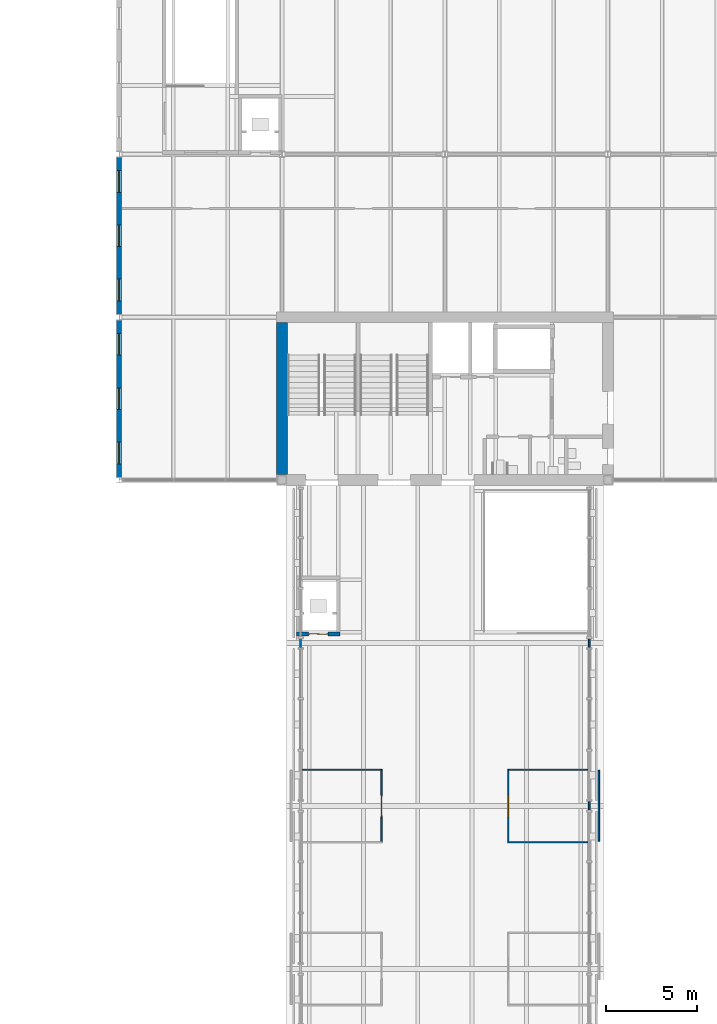
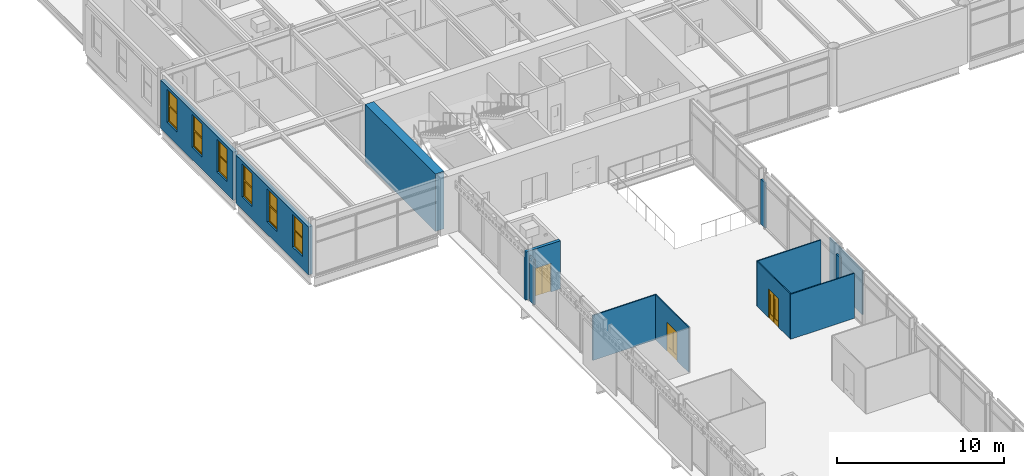
# One storey, part 66 of 123: 13 walls, 6 windows, 3 doors, 9 openings.
"""IFC4 building model written with IfcOpenShell, lengths in metres."""

from ifc_helpers import new_model, si_unit, direction, frame, frame_2d, origin, place, context, subcontext, project, spatial, polyline, rectangle, outline, extrude, material, layer, layer_set, type_object, element, fill, save


model = new_model("IFC4")

# Units and contexts
model_context = context("Model", 3, precision=1e-05, world=origin(), true_north=direction((0.0, 1.0)))
body_context = subcontext(model_context, "Body", "Model", "MODEL_VIEW")
ifc_project = project(units=[si_unit("LENGTHUNIT", "METRE"), si_unit("AREAUNIT", "SQUARE_METRE"), si_unit("VOLUMEUNIT", "CUBIC_METRE"), si_unit("PLANEANGLEUNIT", "RADIAN"), si_unit("MASSUNIT", "GRAM", prefix="KILO")], contexts=[model_context])

# Site, building, storey
site_placement = place(None, origin())
site = spatial("IfcSite", under=ifc_project, at=site_placement, CompositionType="ELEMENT")
building_placement = place(site_placement, origin())
building = spatial("IfcBuilding", under=site, at=building_placement, Name="Baradari Gate Terminus", CompositionType="ELEMENT")
storey_placement = place(building_placement, frame((0.0, 0.0, 7.5)))
storey = spatial("IfcBuildingStorey", under=building, at=storey_placement, Name="L01", CompositionType="ELEMENT", Elevation=7.5)

# Wall
ifc_material_1 = material(Name="Concrete C40/50", Category="concrete")
ifc_layer_1 = layer(ifc_material_1, 0.60009765625)
ifc_layer_set_1 = layer_set([ifc_layer_1], Name="Concrete C40/50")
wall_type_1 = type_object("IfcWallType", Name="Abutment core wall CWL04 600", PredefinedType="SOLIDWALL", material=ifc_layer_set_1)
wall_1_placement = place(storey_placement, frame((72.0, 81.300048828125, 0.0), z_axis=(0.0, 0.0, 1.0), x_axis=(0.0, 1.0, 0.0)))
element("IfcWall", 1, at=wall_1_placement, inside=storey, type_object=wall_type_1, Name="Abutment core wall GN W L01", PredefinedType="SOLIDWALL", context=body_context, shape_type="SweptSolid", body=[
    extrude(rectangle(XDim=8.39990234375, YDim=0.60009765625, at=frame_2d((4.199951171875, 0.0))), origin(), (0.0, 0.0, 1.0), 4.199951171875),
])

# Wall, openings, windows
ifc_material_2 = material(Name="Concrete C40/50 precast", Category="concrete")
ifc_layer_2 = layer(ifc_material_2, 0.23)
ifc_material_3 = material(Name="Reconstituted stone", Category="masonry")
ifc_layer_3 = layer(ifc_material_3, 0.05)
ifc_layer_set_2 = layer_set([ifc_layer_2, ifc_layer_3], Name="Concrete C40/50 precast")
wall_type_2 = type_object("IfcWallType", Name="End wall WE-1 280", PredefinedType="SOLIDWALL", material=ifc_layer_set_2)
wall_2_placement = place(storey_placement, frame((63.0, 81.1572265625, 0.0), z_axis=(0.0, 0.0, 1.0), x_axis=(0.0, 1.0, 0.0)))
wall_2 = element("IfcWall", 2, at=wall_2_placement, inside=storey, type_object=wall_type_2, Name="court end wall HW bay 10 L01", PredefinedType="SOLIDWALL", context=body_context, shape_type="SweptSolid", body=[
    extrude(rectangle(XDim=8.685546875, YDim=0.280029296875, at=frame_2d((4.3427734375, 0.0))), origin(), (0.0, 0.0, 1.0), 3.516845703125),
])
opening_1_placement = place(wall_2_placement, frame((0.74267578125, 0.0, 0.89990234375)))
opening_1 = element("IfcOpeningElement", 3, at=opening_1_placement, cuts=wall_2, Name="Opening W12", PredefinedType="OPENING", context=body_context, shape_type="SweptSolid", body=[
    extrude(rectangle(XDim=1.199951171875, YDim=2.39990234375, at=frame_2d((0.60009765625, 1.199951171875))), frame((0.0, 0.14990234375, 0.0), z_axis=(0.0, -1.0, 0.0), x_axis=(1.0, 0.0, 0.0)), (0.0, 0.0, 1.0), 0.300048828125),
])
opening_2_placement = place(wall_2_placement, frame((3.74267578125, 0.0, 0.89990234375)))
opening_2 = element("IfcOpeningElement", 4, at=opening_2_placement, cuts=wall_2, Name="Opening W12", PredefinedType="OPENING", context=body_context, shape_type="SweptSolid", body=[
    extrude(rectangle(XDim=1.199951171875, YDim=2.39990234375, at=frame_2d((0.60009765625, 1.199951171875))), frame((0.0, 0.14990234375, 0.0), z_axis=(0.0, -1.0, 0.0), x_axis=(1.0, 0.0, 0.0)), (0.0, 0.0, 1.0), 0.300048828125),
])
opening_3_placement = place(wall_2_placement, frame((6.74267578125, 0.0, 0.89990234375)))
opening_3 = element("IfcOpeningElement", 5, at=opening_3_placement, cuts=wall_2, Name="Opening W12", PredefinedType="OPENING", context=body_context, shape_type="SweptSolid", body=[
    extrude(rectangle(XDim=1.199951171875, YDim=2.39990234375, at=frame_2d((0.60009765625, 1.199951171875))), frame((0.0, 0.14990234375, 0.0), z_axis=(0.0, -1.0, 0.0), x_axis=(1.0, 0.0, 0.0)), (0.0, 0.0, 1.0), 0.300048828125),
])
ifc_material_4 = material(Name="Aluminium 6063-T6", Category="aluminium")
window_type = type_object("IfcWindowType", Name="End-wall window W12 1200x2400", PartitioningType="DOUBLE_PANEL_HORIZONTAL", PredefinedType="WINDOW", material=ifc_material_4)
window_1_placement = place(opening_1_placement, origin())
window_1 = element("IfcWindow", 6, at=window_1_placement, inside=storey, type_object=window_type, Name="Window W12 HW/09", OverallHeight=2.4, OverallWidth=1.2, PartitioningType="DOUBLE_PANEL_HORIZONTAL", PredefinedType="WINDOW", context=body_context, shape_type="SweptSolid", body=[
    extrude(outline(polyline([(0.0, 0.0), (1.199951171875, 0.0), (1.199951171875, 2.39990234375), (0.0, 2.39990234375), (0.0, 0.0)]), holes=[polyline([(0.070068359375, 0.070068359375), (1.1298828125, 0.070068359375), (1.1298828125, 2.329833984375), (0.070068359375, 2.329833984375), (0.070068359375, 0.070068359375)])]), frame((0.0, 0.030029296875, 0.0), z_axis=(0.0, -1.0, 0.0), x_axis=(1.0, 0.0, 0.0)), (0.0, 0.0, 1.0), 0.06005859375),
    extrude(rectangle(XDim=1.059814453125, YDim=0.0400390625, at=frame_2d((0.60009765625, 1.199951171875))), frame((0.0, 0.021484375, 0.0), z_axis=(0.0, -1.0, 0.0), x_axis=(1.0, 0.0, 0.0)), (0.0, 0.0, 1.0), 0.04296875),
    extrude(outline(polyline([(0.070068359375, 0.070068359375), (1.1298828125, 0.070068359375), (1.1298828125, 1.179931640625), (0.070068359375, 1.179931640625), (0.070068359375, 0.070068359375)]), holes=[polyline([(0.10009765625, 0.10009765625), (1.099853515625, 0.10009765625), (1.099853515625, 1.14990234375), (0.10009765625, 1.14990234375), (0.10009765625, 0.10009765625)])]), frame((0.0, 0.0224609375, 0.0), z_axis=(0.0, -1.0, 0.0), x_axis=(1.0, 0.0, 0.0)), (0.0, 0.0, 1.0), 0.044921875),
    extrude(rectangle(XDim=0.999755859375, YDim=1.0498046875, at=frame_2d((0.60009765625, 0.625))), frame((0.0, 0.006103515625, 0.0), z_axis=(0.0, -1.0, 0.0), x_axis=(1.0, 0.0, 0.0)), (0.0, 0.0, 1.0), 0.01220703125),
    extrude(outline(polyline([(0.070068359375, 1.219970703125), (1.1298828125, 1.219970703125), (1.1298828125, 2.329833984375), (0.070068359375, 2.329833984375), (0.070068359375, 1.219970703125)]), holes=[polyline([(0.10009765625, 1.25), (1.099853515625, 1.25), (1.099853515625, 2.2998046875), (0.10009765625, 2.2998046875), (0.10009765625, 1.25)])]), frame((0.0, 0.0224609375, 0.0), z_axis=(0.0, -1.0, 0.0), x_axis=(1.0, 0.0, 0.0)), (0.0, 0.0, 1.0), 0.044921875),
    extrude(rectangle(XDim=0.999755859375, YDim=1.0498046875, at=frame_2d((0.60009765625, 1.77490234375))), frame((0.0, 0.006103515625, 0.0), z_axis=(0.0, -1.0, 0.0), x_axis=(1.0, 0.0, 0.0)), (0.0, 0.0, 1.0), 0.01220703125),
])
fill(opening_1, window_1)
window_2_placement = place(opening_2_placement, origin())
window_2 = element("IfcWindow", 7, at=window_2_placement, inside=storey, type_object=window_type, Name="Window W12 HW/09", OverallHeight=2.4, OverallWidth=1.2, PartitioningType="DOUBLE_PANEL_HORIZONTAL", PredefinedType="WINDOW", context=body_context, shape_type="SweptSolid", body=[
    extrude(outline(polyline([(0.0, 0.0), (1.199951171875, 0.0), (1.199951171875, 2.39990234375), (0.0, 2.39990234375), (0.0, 0.0)]), holes=[polyline([(0.070068359375, 0.070068359375), (1.1298828125, 0.070068359375), (1.1298828125, 2.329833984375), (0.070068359375, 2.329833984375), (0.070068359375, 0.070068359375)])]), frame((0.0, 0.030029296875, 0.0), z_axis=(0.0, -1.0, 0.0), x_axis=(1.0, 0.0, 0.0)), (0.0, 0.0, 1.0), 0.06005859375),
    extrude(rectangle(XDim=1.059814453125, YDim=0.0400390625, at=frame_2d((0.60009765625, 1.199951171875))), frame((0.0, 0.021484375, 0.0), z_axis=(0.0, -1.0, 0.0), x_axis=(1.0, 0.0, 0.0)), (0.0, 0.0, 1.0), 0.04296875),
    extrude(outline(polyline([(0.070068359375, 0.070068359375), (1.1298828125, 0.070068359375), (1.1298828125, 1.179931640625), (0.070068359375, 1.179931640625), (0.070068359375, 0.070068359375)]), holes=[polyline([(0.10009765625, 0.10009765625), (1.099853515625, 0.10009765625), (1.099853515625, 1.14990234375), (0.10009765625, 1.14990234375), (0.10009765625, 0.10009765625)])]), frame((0.0, 0.0224609375, 0.0), z_axis=(0.0, -1.0, 0.0), x_axis=(1.0, 0.0, 0.0)), (0.0, 0.0, 1.0), 0.044921875),
    extrude(rectangle(XDim=0.999755859375, YDim=1.0498046875, at=frame_2d((0.60009765625, 0.625))), frame((0.0, 0.006103515625, 0.0), z_axis=(0.0, -1.0, 0.0), x_axis=(1.0, 0.0, 0.0)), (0.0, 0.0, 1.0), 0.01220703125),
    extrude(outline(polyline([(0.070068359375, 1.219970703125), (1.1298828125, 1.219970703125), (1.1298828125, 2.329833984375), (0.070068359375, 2.329833984375), (0.070068359375, 1.219970703125)]), holes=[polyline([(0.10009765625, 1.25), (1.099853515625, 1.25), (1.099853515625, 2.2998046875), (0.10009765625, 2.2998046875), (0.10009765625, 1.25)])]), frame((0.0, 0.0224609375, 0.0), z_axis=(0.0, -1.0, 0.0), x_axis=(1.0, 0.0, 0.0)), (0.0, 0.0, 1.0), 0.044921875),
    extrude(rectangle(XDim=0.999755859375, YDim=1.0498046875, at=frame_2d((0.60009765625, 1.77490234375))), frame((0.0, 0.006103515625, 0.0), z_axis=(0.0, -1.0, 0.0), x_axis=(1.0, 0.0, 0.0)), (0.0, 0.0, 1.0), 0.01220703125),
])
fill(opening_2, window_2)
window_3_placement = place(opening_3_placement, origin())
window_3 = element("IfcWindow", 8, at=window_3_placement, inside=storey, type_object=window_type, Name="Window W12 HW/09", OverallHeight=2.4, OverallWidth=1.2, PartitioningType="DOUBLE_PANEL_HORIZONTAL", PredefinedType="WINDOW", context=body_context, shape_type="SweptSolid", body=[
    extrude(outline(polyline([(0.0, 0.0), (1.199951171875, 0.0), (1.199951171875, 2.39990234375), (0.0, 2.39990234375), (0.0, 0.0)]), holes=[polyline([(0.070068359375, 0.070068359375), (1.1298828125, 0.070068359375), (1.1298828125, 2.329833984375), (0.070068359375, 2.329833984375), (0.070068359375, 0.070068359375)])]), frame((0.0, 0.030029296875, 0.0), z_axis=(0.0, -1.0, 0.0), x_axis=(1.0, 0.0, 0.0)), (0.0, 0.0, 1.0), 0.06005859375),
    extrude(rectangle(XDim=1.059814453125, YDim=0.0400390625, at=frame_2d((0.60009765625, 1.199951171875))), frame((0.0, 0.021484375, 0.0), z_axis=(0.0, -1.0, 0.0), x_axis=(1.0, 0.0, 0.0)), (0.0, 0.0, 1.0), 0.04296875),
    extrude(outline(polyline([(0.070068359375, 0.070068359375), (1.1298828125, 0.070068359375), (1.1298828125, 1.179931640625), (0.070068359375, 1.179931640625), (0.070068359375, 0.070068359375)]), holes=[polyline([(0.10009765625, 0.10009765625), (1.099853515625, 0.10009765625), (1.099853515625, 1.14990234375), (0.10009765625, 1.14990234375), (0.10009765625, 0.10009765625)])]), frame((0.0, 0.0224609375, 0.0), z_axis=(0.0, -1.0, 0.0), x_axis=(1.0, 0.0, 0.0)), (0.0, 0.0, 1.0), 0.044921875),
    extrude(rectangle(XDim=0.999755859375, YDim=1.0498046875, at=frame_2d((0.60009765625, 0.625))), frame((0.0, 0.006103515625, 0.0), z_axis=(0.0, -1.0, 0.0), x_axis=(1.0, 0.0, 0.0)), (0.0, 0.0, 1.0), 0.01220703125),
    extrude(outline(polyline([(0.070068359375, 1.219970703125), (1.1298828125, 1.219970703125), (1.1298828125, 2.329833984375), (0.070068359375, 2.329833984375), (0.070068359375, 1.219970703125)]), holes=[polyline([(0.10009765625, 1.25), (1.099853515625, 1.25), (1.099853515625, 2.2998046875), (0.10009765625, 2.2998046875), (0.10009765625, 1.25)])]), frame((0.0, 0.0224609375, 0.0), z_axis=(0.0, -1.0, 0.0), x_axis=(1.0, 0.0, 0.0)), (0.0, 0.0, 1.0), 0.044921875),
    extrude(rectangle(XDim=0.999755859375, YDim=1.0498046875, at=frame_2d((0.60009765625, 1.77490234375))), frame((0.0, 0.006103515625, 0.0), z_axis=(0.0, -1.0, 0.0), x_axis=(1.0, 0.0, 0.0)), (0.0, 0.0, 1.0), 0.01220703125),
])
fill(opening_3, window_3)

wall_3_placement = place(storey_placement, frame((63.0, 90.1572265625, 0.0), z_axis=(0.0, 0.0, 1.0), x_axis=(0.0, 1.0, 0.0)))
wall_3 = element("IfcWall", 9, at=wall_3_placement, inside=storey, type_object=wall_type_2, Name="court end wall HW bay 11 L01", PredefinedType="SOLIDWALL", context=body_context, shape_type="SweptSolid", body=[
    extrude(rectangle(XDim=8.685546875, YDim=0.280029296875, at=frame_2d((4.3427734375, 0.0))), origin(), (0.0, 0.0, 1.0), 3.516845703125),
])
opening_4_placement = place(wall_3_placement, frame((0.74267578125, 0.0, 0.89990234375)))
opening_4 = element("IfcOpeningElement", 10, at=opening_4_placement, cuts=wall_3, Name="Opening W12", PredefinedType="OPENING", context=body_context, shape_type="SweptSolid", body=[
    extrude(rectangle(XDim=1.199951171875, YDim=2.39990234375, at=frame_2d((0.60009765625, 1.199951171875))), frame((0.0, 0.14990234375, 0.0), z_axis=(0.0, -1.0, 0.0), x_axis=(1.0, 0.0, 0.0)), (0.0, 0.0, 1.0), 0.300048828125),
])
opening_5_placement = place(wall_3_placement, frame((3.74267578125, 0.0, 0.89990234375)))
opening_5 = element("IfcOpeningElement", 11, at=opening_5_placement, cuts=wall_3, Name="Opening W12", PredefinedType="OPENING", context=body_context, shape_type="SweptSolid", body=[
    extrude(rectangle(XDim=1.199951171875, YDim=2.39990234375, at=frame_2d((0.60009765625, 1.199951171875))), frame((0.0, 0.14990234375, 0.0), z_axis=(0.0, -1.0, 0.0), x_axis=(1.0, 0.0, 0.0)), (0.0, 0.0, 1.0), 0.300048828125),
])
opening_6_placement = place(wall_3_placement, frame((6.74267578125, 0.0, 0.89990234375)))
opening_6 = element("IfcOpeningElement", 12, at=opening_6_placement, cuts=wall_3, Name="Opening W12", PredefinedType="OPENING", context=body_context, shape_type="SweptSolid", body=[
    extrude(rectangle(XDim=1.199951171875, YDim=2.39990234375, at=frame_2d((0.60009765625, 1.199951171875))), frame((0.0, 0.14990234375, 0.0), z_axis=(0.0, -1.0, 0.0), x_axis=(1.0, 0.0, 0.0)), (0.0, 0.0, 1.0), 0.300048828125),
])
window_4_placement = place(opening_4_placement, origin())
window_4 = element("IfcWindow", 13, at=window_4_placement, inside=storey, type_object=window_type, Name="Window W12 HW/10", OverallHeight=2.4, OverallWidth=1.2, PartitioningType="DOUBLE_PANEL_HORIZONTAL", PredefinedType="WINDOW", context=body_context, shape_type="SweptSolid", body=[
    extrude(outline(polyline([(0.0, 0.0), (1.199951171875, 0.0), (1.199951171875, 2.39990234375), (0.0, 2.39990234375), (0.0, 0.0)]), holes=[polyline([(0.070068359375, 0.070068359375), (1.1298828125, 0.070068359375), (1.1298828125, 2.329833984375), (0.070068359375, 2.329833984375), (0.070068359375, 0.070068359375)])]), frame((0.0, 0.030029296875, 0.0), z_axis=(0.0, -1.0, 0.0), x_axis=(1.0, 0.0, 0.0)), (0.0, 0.0, 1.0), 0.06005859375),
    extrude(rectangle(XDim=1.059814453125, YDim=0.0400390625, at=frame_2d((0.60009765625, 1.199951171875))), frame((0.0, 0.021484375, 0.0), z_axis=(0.0, -1.0, 0.0), x_axis=(1.0, 0.0, 0.0)), (0.0, 0.0, 1.0), 0.04296875),
    extrude(outline(polyline([(0.070068359375, 0.070068359375), (1.1298828125, 0.070068359375), (1.1298828125, 1.179931640625), (0.070068359375, 1.179931640625), (0.070068359375, 0.070068359375)]), holes=[polyline([(0.10009765625, 0.10009765625), (1.099853515625, 0.10009765625), (1.099853515625, 1.14990234375), (0.10009765625, 1.14990234375), (0.10009765625, 0.10009765625)])]), frame((0.0, 0.0224609375, 0.0), z_axis=(0.0, -1.0, 0.0), x_axis=(1.0, 0.0, 0.0)), (0.0, 0.0, 1.0), 0.044921875),
    extrude(rectangle(XDim=0.999755859375, YDim=1.0498046875, at=frame_2d((0.60009765625, 0.625))), frame((0.0, 0.006103515625, 0.0), z_axis=(0.0, -1.0, 0.0), x_axis=(1.0, 0.0, 0.0)), (0.0, 0.0, 1.0), 0.01220703125),
    extrude(outline(polyline([(0.070068359375, 1.219970703125), (1.1298828125, 1.219970703125), (1.1298828125, 2.329833984375), (0.070068359375, 2.329833984375), (0.070068359375, 1.219970703125)]), holes=[polyline([(0.10009765625, 1.25), (1.099853515625, 1.25), (1.099853515625, 2.2998046875), (0.10009765625, 2.2998046875), (0.10009765625, 1.25)])]), frame((0.0, 0.0224609375, 0.0), z_axis=(0.0, -1.0, 0.0), x_axis=(1.0, 0.0, 0.0)), (0.0, 0.0, 1.0), 0.044921875),
    extrude(rectangle(XDim=0.999755859375, YDim=1.0498046875, at=frame_2d((0.60009765625, 1.77490234375))), frame((0.0, 0.006103515625, 0.0), z_axis=(0.0, -1.0, 0.0), x_axis=(1.0, 0.0, 0.0)), (0.0, 0.0, 1.0), 0.01220703125),
])
fill(opening_4, window_4)
window_5_placement = place(opening_5_placement, origin())
window_5 = element("IfcWindow", 14, at=window_5_placement, inside=storey, type_object=window_type, Name="Window W12 HW/10", OverallHeight=2.4, OverallWidth=1.2, PartitioningType="DOUBLE_PANEL_HORIZONTAL", PredefinedType="WINDOW", context=body_context, shape_type="SweptSolid", body=[
    extrude(outline(polyline([(0.0, 0.0), (1.199951171875, 0.0), (1.199951171875, 2.39990234375), (0.0, 2.39990234375), (0.0, 0.0)]), holes=[polyline([(0.070068359375, 0.070068359375), (1.1298828125, 0.070068359375), (1.1298828125, 2.329833984375), (0.070068359375, 2.329833984375), (0.070068359375, 0.070068359375)])]), frame((0.0, 0.030029296875, 0.0), z_axis=(0.0, -1.0, 0.0), x_axis=(1.0, 0.0, 0.0)), (0.0, 0.0, 1.0), 0.06005859375),
    extrude(rectangle(XDim=1.059814453125, YDim=0.0400390625, at=frame_2d((0.60009765625, 1.199951171875))), frame((0.0, 0.021484375, 0.0), z_axis=(0.0, -1.0, 0.0), x_axis=(1.0, 0.0, 0.0)), (0.0, 0.0, 1.0), 0.04296875),
    extrude(outline(polyline([(0.070068359375, 0.070068359375), (1.1298828125, 0.070068359375), (1.1298828125, 1.179931640625), (0.070068359375, 1.179931640625), (0.070068359375, 0.070068359375)]), holes=[polyline([(0.10009765625, 0.10009765625), (1.099853515625, 0.10009765625), (1.099853515625, 1.14990234375), (0.10009765625, 1.14990234375), (0.10009765625, 0.10009765625)])]), frame((0.0, 0.0224609375, 0.0), z_axis=(0.0, -1.0, 0.0), x_axis=(1.0, 0.0, 0.0)), (0.0, 0.0, 1.0), 0.044921875),
    extrude(rectangle(XDim=0.999755859375, YDim=1.0498046875, at=frame_2d((0.60009765625, 0.625))), frame((0.0, 0.006103515625, 0.0), z_axis=(0.0, -1.0, 0.0), x_axis=(1.0, 0.0, 0.0)), (0.0, 0.0, 1.0), 0.01220703125),
    extrude(outline(polyline([(0.070068359375, 1.219970703125), (1.1298828125, 1.219970703125), (1.1298828125, 2.329833984375), (0.070068359375, 2.329833984375), (0.070068359375, 1.219970703125)]), holes=[polyline([(0.10009765625, 1.25), (1.099853515625, 1.25), (1.099853515625, 2.2998046875), (0.10009765625, 2.2998046875), (0.10009765625, 1.25)])]), frame((0.0, 0.0224609375, 0.0), z_axis=(0.0, -1.0, 0.0), x_axis=(1.0, 0.0, 0.0)), (0.0, 0.0, 1.0), 0.044921875),
    extrude(rectangle(XDim=0.999755859375, YDim=1.0498046875, at=frame_2d((0.60009765625, 1.77490234375))), frame((0.0, 0.006103515625, 0.0), z_axis=(0.0, -1.0, 0.0), x_axis=(1.0, 0.0, 0.0)), (0.0, 0.0, 1.0), 0.01220703125),
])
fill(opening_5, window_5)
window_6_placement = place(opening_6_placement, origin())
window_6 = element("IfcWindow", 15, at=window_6_placement, inside=storey, type_object=window_type, Name="Window W12 HW/10", OverallHeight=2.4, OverallWidth=1.2, PartitioningType="DOUBLE_PANEL_HORIZONTAL", PredefinedType="WINDOW", context=body_context, shape_type="SweptSolid", body=[
    extrude(outline(polyline([(0.0, 0.0), (1.199951171875, 0.0), (1.199951171875, 2.39990234375), (0.0, 2.39990234375), (0.0, 0.0)]), holes=[polyline([(0.070068359375, 0.070068359375), (1.1298828125, 0.070068359375), (1.1298828125, 2.329833984375), (0.070068359375, 2.329833984375), (0.070068359375, 0.070068359375)])]), frame((0.0, 0.030029296875, 0.0), z_axis=(0.0, -1.0, 0.0), x_axis=(1.0, 0.0, 0.0)), (0.0, 0.0, 1.0), 0.06005859375),
    extrude(rectangle(XDim=1.059814453125, YDim=0.0400390625, at=frame_2d((0.60009765625, 1.199951171875))), frame((0.0, 0.021484375, 0.0), z_axis=(0.0, -1.0, 0.0), x_axis=(1.0, 0.0, 0.0)), (0.0, 0.0, 1.0), 0.04296875),
    extrude(outline(polyline([(0.070068359375, 0.070068359375), (1.1298828125, 0.070068359375), (1.1298828125, 1.179931640625), (0.070068359375, 1.179931640625), (0.070068359375, 0.070068359375)]), holes=[polyline([(0.10009765625, 0.10009765625), (1.099853515625, 0.10009765625), (1.099853515625, 1.14990234375), (0.10009765625, 1.14990234375), (0.10009765625, 0.10009765625)])]), frame((0.0, 0.0224609375, 0.0), z_axis=(0.0, -1.0, 0.0), x_axis=(1.0, 0.0, 0.0)), (0.0, 0.0, 1.0), 0.044921875),
    extrude(rectangle(XDim=0.999755859375, YDim=1.0498046875, at=frame_2d((0.60009765625, 0.625))), frame((0.0, 0.006103515625, 0.0), z_axis=(0.0, -1.0, 0.0), x_axis=(1.0, 0.0, 0.0)), (0.0, 0.0, 1.0), 0.01220703125),
    extrude(outline(polyline([(0.070068359375, 1.219970703125), (1.1298828125, 1.219970703125), (1.1298828125, 2.329833984375), (0.070068359375, 2.329833984375), (0.070068359375, 1.219970703125)]), holes=[polyline([(0.10009765625, 1.25), (1.099853515625, 1.25), (1.099853515625, 2.2998046875), (0.10009765625, 2.2998046875), (0.10009765625, 1.25)])]), frame((0.0, 0.0224609375, 0.0), z_axis=(0.0, -1.0, 0.0), x_axis=(1.0, 0.0, 0.0)), (0.0, 0.0, 1.0), 0.044921875),
    extrude(rectangle(XDim=0.999755859375, YDim=1.0498046875, at=frame_2d((0.60009765625, 1.77490234375))), frame((0.0, 0.006103515625, 0.0), z_axis=(0.0, -1.0, 0.0), x_axis=(1.0, 0.0, 0.0)), (0.0, 0.0, 1.0), 0.01220703125),
])
fill(opening_6, window_6)

# Wall, opening, door
ifc_material_5 = material(Name="Aluminium framed glazed partition", Category="aluminium")
ifc_layer_4 = layer(ifc_material_5, 0.074951171875)
ifc_layer_set_3 = layer_set([ifc_layer_4], Name="Aluminium framed glazed partition")
wall_type_3 = type_object("IfcWallType", Name="Kiosk partition PT-9 75 EI 60", PredefinedType="PARTITIONING", material=ifc_layer_set_3)
wall_4_placement = place(storey_placement, frame((77.5, 61.03759765625, 0.0), z_axis=(0.0, 0.0, 1.0), x_axis=(0.0, 1.0, 0.0)))
wall_4 = element("IfcWall", 16, at=wall_4_placement, inside=storey, type_object=wall_type_3, Name="PT-9 partition Concourse / Kiosk 2", PredefinedType="PARTITIONING", context=body_context, shape_type="SweptSolid", body=[
    extrude(rectangle(XDim=3.9248046875, YDim=0.074951171875, at=frame_2d((1.96240234375, 0.0))), origin(), (0.0, 0.0, 1.0), 3.287109375),
])
opening_7_placement = place(wall_4_placement, frame((1.362548828125, 0.0, 0.0)))
opening_7 = element("IfcOpeningElement", 17, at=opening_7_placement, cuts=wall_4, Name="Opening D01-109", PredefinedType="OPENING", context=body_context, shape_type="SweptSolid", body=[
    extrude(rectangle(XDim=1.199951171875, YDim=2.10009765625, at=frame_2d((0.60009765625, 1.050048828125))), frame((0.0, 0.04736328125, 0.0), z_axis=(0.0, -1.0, 0.0), x_axis=(1.0, 0.0, 0.0)), (0.0, 0.0, 1.0), 0.094970703125),
])
ifc_material_6 = material(Name="Steel S275", Category="steel")
door_type_1 = type_object("IfcDoorType", Name="Fire door FI-1200-FD60S 1200x2100 FD60S", OperationType="DOUBLE_DOOR_SINGLE_SWING", PredefinedType="DOOR", material=ifc_material_6)
door_1_placement = place(opening_7_placement, origin())
door_1 = element("IfcDoor", 18, at=door_1_placement, inside=storey, type_object=door_type_1, Name="Door Kiosk 2", OperationType="DOUBLE_DOOR_SINGLE_SWING", OverallHeight=2.1, OverallWidth=1.2, PredefinedType="DOOR", context=body_context, shape_type="SweptSolid", body=[
    extrude(outline(polyline([(0.0, 0.0), (0.070068359375, 0.0), (0.070068359375, 2.030029296875), (1.1298828125, 2.030029296875), (1.1298828125, 0.0), (1.199951171875, 0.0), (1.199951171875, 2.10009765625), (0.0, 2.10009765625), (0.0, 0.0)])), frame((0.0, 0.02490234375, 0.0), z_axis=(0.0, -1.0, 0.0), x_axis=(1.0, 0.0, 0.0)), (0.0, 0.0, 1.0), 0.050048828125),
    extrude(outline(polyline([(0.073974609375, 0.010009765625), (0.596923828125, 0.010009765625), (0.596923828125, 2.026123046875), (0.073974609375, 2.026123046875), (0.073974609375, 0.010009765625)]), holes=[polyline([(0.178466796875, 0.372802734375), (0.492431640625, 0.372802734375), (0.492431640625, 1.7841796875), (0.178466796875, 1.7841796875), (0.178466796875, 0.372802734375)])]), frame((0.0, 0.017333984375, 0.0), z_axis=(0.0, -1.0, 0.0), x_axis=(1.0, 0.0, 0.0)), (0.0, 0.0, 1.0), 0.034912109375),
    extrude(rectangle(XDim=0.31396484375, YDim=1.411376953125, at=frame_2d((0.33544921875, 1.07861328125))), frame((0.0, 0.008544921875, 0.0), z_axis=(0.0, -1.0, 0.0), x_axis=(1.0, 0.0, 0.0)), (0.0, 0.0, 1.0), 0.017333984375),
    extrude(outline(polyline([(0.60302734375, 0.010009765625), (1.1259765625, 0.010009765625), (1.1259765625, 2.026123046875), (0.60302734375, 2.026123046875), (0.60302734375, 0.010009765625)]), holes=[polyline([(0.70751953125, 0.372802734375), (1.021484375, 0.372802734375), (1.021484375, 1.7841796875), (0.70751953125, 1.7841796875), (0.70751953125, 0.372802734375)])]), frame((0.0, 0.017333984375, 0.0), z_axis=(0.0, -1.0, 0.0), x_axis=(1.0, 0.0, 0.0)), (0.0, 0.0, 1.0), 0.034912109375),
    extrude(rectangle(XDim=0.31396484375, YDim=1.411376953125, at=frame_2d((0.864501953125, 1.07861328125))), frame((0.0, 0.008544921875, 0.0), z_axis=(0.0, -1.0, 0.0), x_axis=(1.0, 0.0, 0.0)), (0.0, 0.0, 1.0), 0.017333984375),
])
fill(opening_7, door_1)

# Walls
for number, where, z_axis, x_axis, name in (
    (19, (77.53759765625, 65.0, 0.0), (0.0, 0.0, 1.0), (-1.0, 0.0, 0.0), "PT-9 partition Concourse / Kiosk 2"),
    (20, (88.875, 65.0, 0.0), (0.0, 0.0, 1.0), (-1.0, 0.0, 0.0), "PT-9 partition Concourse / Kiosk 4"),
):
    element("IfcWall", number, at=place(storey_placement, frame(where, z_axis=z_axis, x_axis=x_axis)), inside=storey, type_object=wall_type_3, Name=name, PredefinedType="PARTITIONING", context=body_context, shape_type="SweptSolid", body=[
        extrude(rectangle(XDim=4.41259765625, YDim=0.074951171875, at=frame_2d((2.206298828125, 0.0))), origin(), (0.0, 0.0, 1.0), 3.287109375),
    ])

# Wall, opening, door
wall_5_placement = place(storey_placement, frame((84.5, 64.96240234375, 0.0), z_axis=(0.0, 0.0, 1.0), x_axis=(0.0, -1.0, 0.0)))
wall_5 = element("IfcWall", 21, at=wall_5_placement, inside=storey, type_object=wall_type_3, Name="PT-9 partition Concourse / Kiosk 4", PredefinedType="PARTITIONING", context=body_context, shape_type="SweptSolid", body=[
    extrude(rectangle(XDim=3.9248046875, YDim=0.074951171875, at=frame_2d((1.96240234375, 0.0))), origin(), (0.0, 0.0, 1.0), 3.287109375),
])
opening_8_placement = place(wall_5_placement, frame((1.362548828125, 0.0, 0.0)))
opening_8 = element("IfcOpeningElement", 22, at=opening_8_placement, cuts=wall_5, Name="Opening D01-111", PredefinedType="OPENING", context=body_context, shape_type="SweptSolid", body=[
    extrude(rectangle(XDim=1.199951171875, YDim=2.10009765625, at=frame_2d((0.60009765625, 1.050048828125))), frame((0.0, 0.04736328125, 0.0), z_axis=(0.0, -1.0, 0.0), x_axis=(1.0, 0.0, 0.0)), (0.0, 0.0, 1.0), 0.094970703125),
])
door_2_placement = place(opening_8_placement, origin())
door_2 = element("IfcDoor", 23, at=door_2_placement, inside=storey, type_object=door_type_1, Name="Door Kiosk 4", OperationType="DOUBLE_DOOR_SINGLE_SWING", OverallHeight=2.1, OverallWidth=1.2, PredefinedType="DOOR", context=body_context, shape_type="SweptSolid", body=[
    extrude(outline(polyline([(0.0, 0.0), (0.070068359375, 0.0), (0.070068359375, 2.030029296875), (1.1298828125, 2.030029296875), (1.1298828125, 0.0), (1.199951171875, 0.0), (1.199951171875, 2.10009765625), (0.0, 2.10009765625), (0.0, 0.0)])), frame((0.0, 0.02490234375, 0.0), z_axis=(0.0, -1.0, 0.0), x_axis=(1.0, 0.0, 0.0)), (0.0, 0.0, 1.0), 0.050048828125),
    extrude(outline(polyline([(0.073974609375, 0.010009765625), (0.596923828125, 0.010009765625), (0.596923828125, 2.026123046875), (0.073974609375, 2.026123046875), (0.073974609375, 0.010009765625)]), holes=[polyline([(0.178466796875, 0.372802734375), (0.492431640625, 0.372802734375), (0.492431640625, 1.7841796875), (0.178466796875, 1.7841796875), (0.178466796875, 0.372802734375)])]), frame((0.0, 0.017333984375, 0.0), z_axis=(0.0, -1.0, 0.0), x_axis=(1.0, 0.0, 0.0)), (0.0, 0.0, 1.0), 0.034912109375),
    extrude(rectangle(XDim=0.31396484375, YDim=1.411376953125, at=frame_2d((0.33544921875, 1.07861328125))), frame((0.0, 0.008544921875, 0.0), z_axis=(0.0, -1.0, 0.0), x_axis=(1.0, 0.0, 0.0)), (0.0, 0.0, 1.0), 0.017333984375),
    extrude(outline(polyline([(0.60302734375, 0.010009765625), (1.1259765625, 0.010009765625), (1.1259765625, 2.026123046875), (0.60302734375, 2.026123046875), (0.60302734375, 0.010009765625)]), holes=[polyline([(0.70751953125, 0.372802734375), (1.021484375, 0.372802734375), (1.021484375, 1.7841796875), (0.70751953125, 1.7841796875), (0.70751953125, 0.372802734375)])]), frame((0.0, 0.017333984375, 0.0), z_axis=(0.0, -1.0, 0.0), x_axis=(1.0, 0.0, 0.0)), (0.0, 0.0, 1.0), 0.034912109375),
    extrude(rectangle(XDim=0.31396484375, YDim=1.411376953125, at=frame_2d((0.864501953125, 1.07861328125))), frame((0.0, 0.008544921875, 0.0), z_axis=(0.0, -1.0, 0.0), x_axis=(1.0, 0.0, 0.0)), (0.0, 0.0, 1.0), 0.017333984375),
])
fill(opening_8, door_2)

# Walls
wall_6_placement = place(storey_placement, frame((84.46240234375, 61.0, 0.0), z_axis=(0.0, 0.0, 1.0), x_axis=(1.0, 0.0, 0.0)))
element("IfcWall", 24, at=wall_6_placement, inside=storey, type_object=wall_type_3, Name="PT-9 partition Concourse / Kiosk 4", PredefinedType="PARTITIONING", context=body_context, shape_type="SweptSolid", body=[
    extrude(rectangle(XDim=4.41259765625, YDim=0.074951171875, at=frame_2d((2.206298828125, 0.0))), origin(), (0.0, 0.0, 1.0), 3.287109375),
])
wall_7_placement = place(storey_placement, frame((89.5, 61.03759765625, 0.0), z_axis=(0.0, 0.0, 1.0), x_axis=(0.0, 1.0, 0.0)))
element("IfcWall", 25, at=wall_7_placement, inside=storey, type_object=wall_type_3, Name="PT-9 partition Concourse / Kiosk 4", PredefinedType="PARTITIONING", context=body_context, shape_type="SweptSolid", body=[
    extrude(rectangle(XDim=3.9248046875, YDim=0.074951171875, at=frame_2d((1.96240234375, 0.0))), origin(), (0.0, 0.0, 1.0), 3.287109375),
])

# Wall, opening, door
ifc_material_7 = material(Name="Blockwork wall, fire rated", Category="masonry")
ifc_layer_5 = layer(ifc_material_7, 0.199951171875)
ifc_layer_set_4 = layer_set([ifc_layer_5], Name="Blockwork wall, fire rated")
wall_type_4 = type_object("IfcWallType", Name="Lift shaft wall SH-1 200 EI 120", PredefinedType="SOLIDWALL", material=ifc_layer_set_4)
wall_8_placement = place(storey_placement, frame((72.800048828125, 72.5, 0.0), z_axis=(0.0, 0.0, 1.0), x_axis=(1.0, 0.0, 0.0)))
wall_8 = element("IfcWall", 26, at=wall_8_placement, inside=storey, type_object=wall_type_4, Name="Lift shaft wall LP2 L01 S", PredefinedType="SOLIDWALL", context=body_context, shape_type="SweptSolid", body=[
    extrude(rectangle(XDim=2.39990234375, YDim=0.199951171875, at=frame_2d((1.199951171875, 0.0))), origin(), (0.0, 0.0, 1.0), 3.51611328125),
])
opening_9_placement = place(wall_8_placement, frame((0.64990234375, 0.0, 0.0)))
opening_9 = element("IfcOpeningElement", 27, at=opening_9_placement, cuts=wall_8, Name="Opening D01-011", PredefinedType="OPENING", context=body_context, shape_type="SweptSolid", body=[
    extrude(rectangle(XDim=1.10009765625, YDim=2.10009765625, at=frame_2d((0.550048828125, 1.050048828125))), frame((0.0, 0.10986328125, 0.0), z_axis=(0.0, -1.0, 0.0), x_axis=(1.0, 0.0, 0.0)), (0.0, 0.0, 1.0), 0.219970703125),
])
ifc_material_8 = material(Name="Stainless steel 1.4301", Category="steel")
door_type_2 = type_object("IfcDoorType", Name="Lift landing door LD 1100x2100 E 120", OperationType="SLIDING_TO_LEFT", PredefinedType="DOOR", material=ifc_material_8)
door_3_placement = place(opening_9_placement, origin())
door_3 = element("IfcDoor", 28, at=door_3_placement, inside=storey, type_object=door_type_2, Name="Lift landing door LP2 L01", OperationType="SLIDING_TO_LEFT", OverallHeight=2.1, OverallWidth=1.1, PredefinedType="DOOR", context=body_context, shape_type="SweptSolid", body=[
    extrude(outline(polyline([(0.0, 0.0), (0.070068359375, 0.0), (0.070068359375, 2.030029296875), (1.030029296875, 2.030029296875), (1.030029296875, 0.0), (1.10009765625, 0.0), (1.10009765625, 2.10009765625), (0.0, 2.10009765625), (0.0, 0.0)])), frame((0.0, 0.02490234375, 0.0), z_axis=(0.0, -1.0, 0.0), x_axis=(1.0, 0.0, 0.0)), (0.0, 0.0, 1.0), 0.050048828125),
    extrude(rectangle(XDim=0.523681640625, YDim=2.01611328125, at=frame_2d((0.3359375, 1.01806640625))), frame((0.0, 0.017822265625, 0.0), z_axis=(0.0, -1.0, 0.0), x_axis=(1.0, 0.0, 0.0)), (0.0, 0.0, 1.0), 0.015869140625),
    extrude(rectangle(XDim=0.519775390625, YDim=2.01611328125, at=frame_2d((0.76611328125, 1.01806640625))), frame((0.0, -0.002197265625, 0.0), z_axis=(0.0, -1.0, 0.0), x_axis=(1.0, 0.0, 0.0)), (0.0, 0.0, 1.0), 0.015869140625),
])
fill(opening_9, door_3)

# Walls
ifc_layer_6 = layer(ifc_material_2, 0.06)
ifc_layer_7 = layer(ifc_material_3, 0.04)
ifc_layer_set_5 = layer_set([ifc_layer_6, ifc_layer_7], Name="Concrete C40/50 precast")
wall_type_5 = type_object("IfcWallType", Name="Precast cover panel WP-3 100", PredefinedType="SOLIDWALL", material=ifc_layer_set_5)
for number, where, z_axis, x_axis, name in (
    (29, (73.02490234375, 71.75, 0.0), (0.0, 0.0, 1.0), (0.0, 1.0, 0.0), "Post cover panel GW L01 5"),
    (30, (88.97509765625, 62.75, 0.0), (0.0, 0.0, 1.0), (0.0, 1.0, 0.0), "Post cover panel GE L01 4"),
    (31, (88.97509765625, 71.75, 0.0), (0.0, 0.0, 1.0), (0.0, 1.0, 0.0), "Post cover panel GE L01 5"),
):
    element("IfcWall", number, at=place(storey_placement, frame(where, z_axis=z_axis, x_axis=x_axis)), inside=storey, type_object=wall_type_5, Name=name, PredefinedType="SOLIDWALL", context=body_context, shape_type="SweptSolid", body=[
        extrude(rectangle(XDim=0.5, YDim=0.10009765625, at=frame_2d((0.25, 0.0))), origin(), (0.0, 0.0, 1.0), 3.287841796875),
    ])

save(model, "model.ifc")
